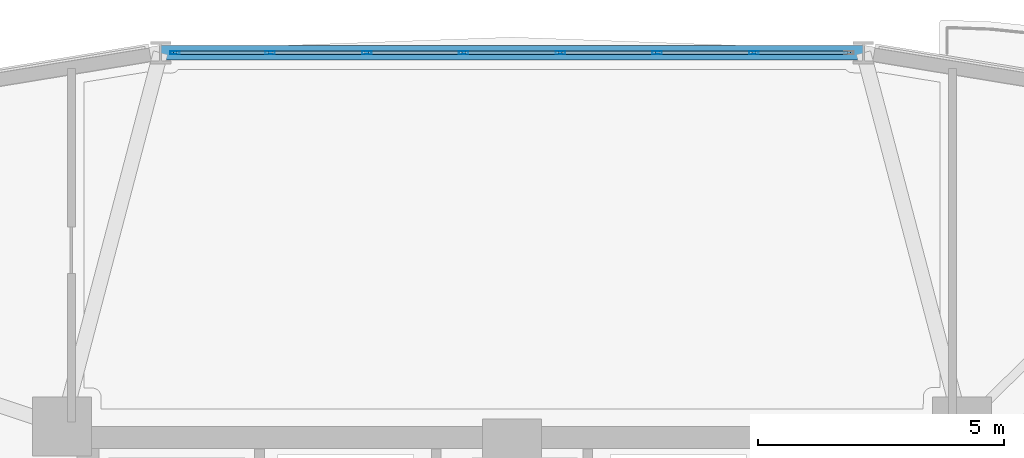
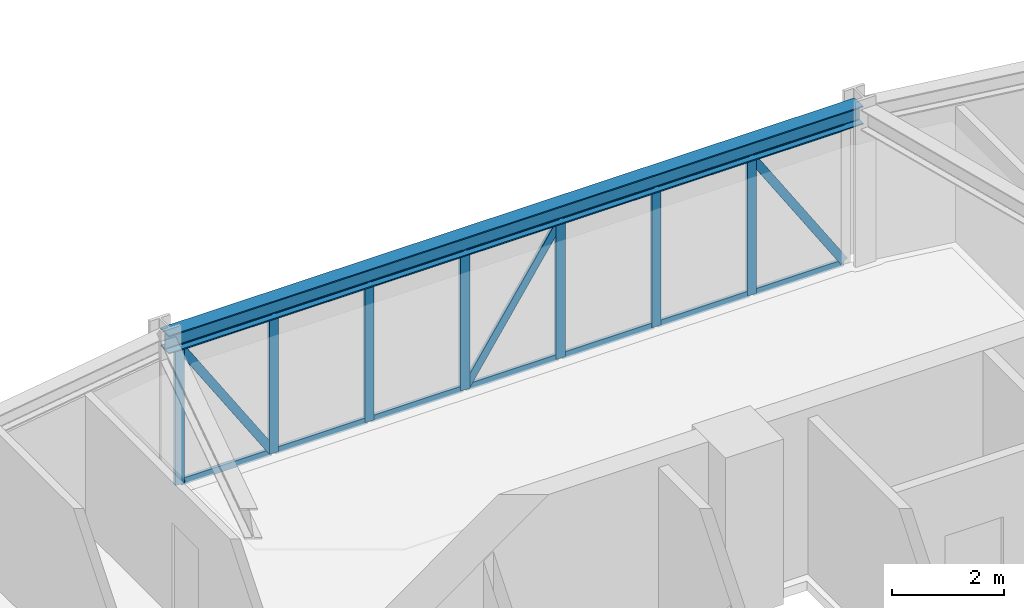
# One storey, part 11 of 23: 24 members, 1 beam, 1 element without a shape of its own.
"""IFC4 building model written with IfcOpenShell, lengths in metres."""

from ifc_helpers import new_model, si_unit, derived_unit, direction, frame, origin, origin_2d, place, context, subcontext, project, spatial, hollow_rectangle, i_section, extrude, source, transform, mapped, material, layer, layer_set, material_profile, profile_set, type_object, element, aggregate, save


model = new_model("IFC4")

# Units and contexts
model_context = context("Model", 3, precision=1e-05, world=origin(), true_north=direction((0.0, 1.0)))
body_context = subcontext(model_context, "Body", "Model", "MODEL_VIEW")
ifc_project = project(units=[si_unit("LENGTHUNIT", "METRE"), si_unit("AREAUNIT", "SQUARE_METRE"), si_unit("VOLUMEUNIT", "CUBIC_METRE"), si_unit("PLANEANGLEUNIT", "RADIAN"), si_unit("MASSUNIT", "GRAM", prefix="KILO"), derived_unit("THERMALTRANSMITTANCEUNIT", [(si_unit("POWERUNIT", "WATT"), 1), (si_unit("LENGTHUNIT", "METRE"), -2), (si_unit("THERMODYNAMICTEMPERATUREUNIT", "KELVIN"), -1)])], contexts=[model_context])

# Site, building, storey
site_placement = place(None, origin())
site = spatial("IfcSite", under=ifc_project, at=site_placement, CompositionType="ELEMENT")
building_placement = place(site_placement, origin())
building = spatial("IfcBuilding", under=site, at=building_placement, Name="Korsvarv Bourse and Concert Hall", CompositionType="ELEMENT")
storey_placement = place(building_placement, frame((0.0, 0.0, 99.0)))
storey = spatial("IfcBuildingStorey", under=building, at=storey_placement, Name="L24", CompositionType="ELEMENT", Elevation=99.0)

# Beam
ifc_material_1 = material(Name="Steel S355", Category="steel")
ifc_material_profile_1 = material_profile(ifc_material_1, i_section(OverallWidth=0.300048828125, OverallDepth=0.39990234375, WebThickness=0.013427734375, FlangeThickness=0.02392578125, FilletRadius=0.02099609375, at=origin_2d()), Name="HEB 400")
ifc_profile_set_1 = profile_set([ifc_material_profile_1], Name="Steel S355")
beam_type = type_object("IfcBeamType", Name="BM-HEB400", PredefinedType="SPANDREL", material=ifc_profile_set_1)
shared_shape_1 = source(origin(), body_context, "Body", "SweptSolid", [
    extrude(i_section(OverallWidth=0.300048828125, OverallDepth=0.39990234375, WebThickness=0.013427734375, FlangeThickness=0.02392578125, FilletRadius=0.02099609375, at=origin_2d()), origin(), (0.0, 0.0, 1.0), 14.298828125),
])
beam_placement = place(storey_placement, frame((43.1494140625, 54.8515625, 3.199951171875), z_axis=(-1.0, 0.0, 0.0), x_axis=(0.0, -1.0, 0.0)))
element("IfcBeam", 1, at=beam_placement, inside=storey, type_object=beam_type, Name="L24 beam B-09", PredefinedType="SPANDREL", context=body_context, shape_type="MappedRepresentation", body=[
    mapped(shared_shape_1, transform((0.0, 0.0, 0.0), scale=1.0)),
])

# Curtain wall, members
ifc_material_2 = material(Name="Anodised aluminium and triple low-E glazing", Category="glass")
ifc_layer = layer(ifc_material_2, 0.2099609375)
ifc_layer_set = layer_set([ifc_layer], Name="Anodised aluminium and triple low-E glazing")
curtain_wall_type = type_object("IfcCurtainWallType", Name="CW-SYS-2", PredefinedType="NOTDEFINED", material=ifc_layer_set)
curtain_wall_placement = place(storey_placement, origin())
curtain_wall = element("IfcCurtainWall", 2, at=curtain_wall_placement, inside=storey, type_object=curtain_wall_type, Name="L24 CW2 curtain wall CW-L24-F03", PredefinedType="NOTDEFINED")
ifc_material_3 = material(Name="Extruded aluminium EN AW-6063 T66", Category="aluminium")
ifc_material_profile_2 = material_profile(ifc_material_3, hollow_rectangle(XDim=0.070068359375, YDim=0.18994140625, WallThickness=0.0048828125, at=origin_2d()), Name="ALU-M 70x190")
ifc_profile_set_2 = profile_set([ifc_material_profile_2], Name="Extruded aluminium EN AW-6063 T66")
member_type_1 = type_object("IfcMemberType", Name="CWM-190", PredefinedType="MULLION", material=ifc_profile_set_2)
shared_shape_2 = source(origin(), body_context, "Body", "SweptSolid", [
    extrude(hollow_rectangle(XDim=0.070068359375, YDim=0.18994140625, WallThickness=0.0048828125, at=origin_2d()), origin(), (0.0, 0.0, 1.0), 3.0),
])
member_1_placement = place(storey_placement, frame((40.921630859375, 54.8515625, 0.0), z_axis=(0.0, 0.0, 1.0), x_axis=(0.0, -1.0, 0.0)))
member_1 = element("IfcMember", 3, at=member_1_placement, type_object=member_type_1, Name="CW2 mullion 2", PredefinedType="MULLION", context=body_context, shape_type="MappedRepresentation", body=[
    mapped(shared_shape_2, transform((0.0, 0.0, 0.0), scale=1.0)),
])
member_2_placement = place(storey_placement, frame((38.953125, 54.8515625, 0.0), z_axis=(0.0, 0.0, 1.0), x_axis=(0.0, -1.0, 0.0)))
member_2 = element("IfcMember", 4, at=member_2_placement, type_object=member_type_1, Name="CW2 mullion 3", PredefinedType="MULLION", context=body_context, shape_type="MappedRepresentation", body=[
    mapped(shared_shape_2, transform((0.0, 0.0, 0.0), scale=1.0)),
])
member_3_placement = place(storey_placement, frame((36.984375, 54.8515625, 0.0), z_axis=(0.0, 0.0, 1.0), x_axis=(0.0, -1.0, 0.0)))
member_3 = element("IfcMember", 5, at=member_3_placement, type_object=member_type_1, Name="CW2 mullion 4", PredefinedType="MULLION", context=body_context, shape_type="MappedRepresentation", body=[
    mapped(shared_shape_2, transform((0.0, 0.0, 0.0), scale=1.0)),
])
member_4_placement = place(storey_placement, frame((35.015625, 54.8515625, 0.0), z_axis=(0.0, 0.0, 1.0), x_axis=(0.0, -1.0, 0.0)))
member_4 = element("IfcMember", 6, at=member_4_placement, type_object=member_type_1, Name="CW2 mullion 5", PredefinedType="MULLION", context=body_context, shape_type="MappedRepresentation", body=[
    mapped(shared_shape_2, transform((0.0, 0.0, 0.0), scale=1.0)),
])
member_5_placement = place(storey_placement, frame((33.046875, 54.8515625, 0.0), z_axis=(0.0, 0.0, 1.0), x_axis=(0.0, -1.0, 0.0)))
member_5 = element("IfcMember", 7, at=member_5_placement, type_object=member_type_1, Name="CW2 mullion 6", PredefinedType="MULLION", context=body_context, shape_type="MappedRepresentation", body=[
    mapped(shared_shape_2, transform((0.0, 0.0, 0.0), scale=1.0)),
])
member_6_placement = place(storey_placement, frame((31.078369140625, 54.8515625, 0.0), z_axis=(0.0, 0.0, 1.0), x_axis=(0.0, -1.0, 0.0)))
member_6 = element("IfcMember", 8, at=member_6_placement, type_object=member_type_1, Name="CW2 mullion 7", PredefinedType="MULLION", context=body_context, shape_type="MappedRepresentation", body=[
    mapped(shared_shape_2, transform((0.0, 0.0, 0.0), scale=1.0)),
])
member_7_placement = place(storey_placement, frame((29.14453125, 54.8515625, 0.0), z_axis=(0.0, 0.0, 1.0), x_axis=(0.0, -1.0, 0.0)))
member_7 = element("IfcMember", 9, at=member_7_placement, type_object=member_type_1, Name="CW2 mullion 8", PredefinedType="MULLION", context=body_context, shape_type="MappedRepresentation", body=[
    mapped(shared_shape_2, transform((0.0, 0.0, 0.0), scale=1.0)),
])
ifc_material_profile_3 = material_profile(ifc_material_3, hollow_rectangle(XDim=0.06494140625, YDim=0.139892578125, WallThickness=0.00390625, at=origin_2d()), Name="ALU-T 65x140")
ifc_profile_set_3 = profile_set([ifc_material_profile_3], Name="Extruded aluminium EN AW-6063 T66")
member_type_2 = type_object("IfcMemberType", Name="CWT-140", PredefinedType="USERDEFINED", material=ifc_profile_set_3)
shared_shape_3 = source(origin(), body_context, "Body", "SweptSolid", [
    extrude(hollow_rectangle(XDim=0.06494140625, YDim=0.139892578125, WallThickness=0.00390625, at=origin_2d()), origin(), (0.0, 0.0, 1.0), 1.863525390625),
])
member_8_placement = place(storey_placement, frame((42.8203125, 54.8515625, 0.032470703125), z_axis=(-1.0, 0.0, 0.0), x_axis=(0.0, -1.0, 0.0)))
member_8 = element("IfcMember", 10, at=member_8_placement, type_object=member_type_2, Name="CW2 transom 1.1", ObjectType="TRANSOM", PredefinedType="USERDEFINED", context=body_context, shape_type="MappedRepresentation", body=[
    mapped(shared_shape_3, transform((0.0, 0.0, 0.0), scale=1.0)),
])
member_9_placement = place(storey_placement, frame((42.8203125, 54.8515625, 2.967529296875), z_axis=(-1.0, 0.0, 0.0), x_axis=(0.0, -1.0, 0.0)))
member_9 = element("IfcMember", 11, at=member_9_placement, type_object=member_type_2, Name="CW2 transom 1.2", ObjectType="TRANSOM", PredefinedType="USERDEFINED", context=body_context, shape_type="MappedRepresentation", body=[
    mapped(shared_shape_3, transform((0.0, 0.0, 0.0), scale=1.0)),
])
member_10_placement = place(storey_placement, frame((31.043212890625, 54.8515625, 0.032470703125), z_axis=(-1.0, 0.0, 0.0), x_axis=(0.0, -1.0, 0.0)))
member_10 = element("IfcMember", 12, at=member_10_placement, type_object=member_type_2, Name="CW2 transom 7.1", ObjectType="TRANSOM", PredefinedType="USERDEFINED", context=body_context, shape_type="MappedRepresentation", body=[
    mapped(shared_shape_3, transform((0.0, 0.0, 0.0), scale=1.0)),
])
member_11_placement = place(storey_placement, frame((31.043212890625, 54.8515625, 2.967529296875), z_axis=(-1.0, 0.0, 0.0), x_axis=(0.0, -1.0, 0.0)))
member_11 = element("IfcMember", 13, at=member_11_placement, type_object=member_type_2, Name="CW2 transom 7.2", ObjectType="TRANSOM", PredefinedType="USERDEFINED", context=body_context, shape_type="MappedRepresentation", body=[
    mapped(shared_shape_3, transform((0.0, 0.0, 0.0), scale=1.0)),
])
ifc_material_profile_4 = material_profile(ifc_material_3, hollow_rectangle(XDim=0.06494140625, YDim=0.1650390625, WallThickness=0.0048828125, at=origin_2d()), Name="ALU-M 65x165")
ifc_profile_set_4 = profile_set([ifc_material_profile_4], Name="Extruded aluminium EN AW-6063 T66")
member_type_3 = type_object("IfcMemberType", Name="CWM-165", PredefinedType="MULLION", material=ifc_profile_set_4)
shared_shape_4 = source(origin(), body_context, "Body", "SweptSolid", [
    extrude(hollow_rectangle(XDim=0.06494140625, YDim=0.1650390625, WallThickness=0.0048828125, at=origin_2d()), origin(), (0.0, 0.0, 1.0), 3.422119140625),
])
member_12_placement = place(storey_placement, frame((42.8203125, 54.8515625, 0.06494140625), z_axis=(-0.544566989944, 0.0, 0.838717350162), x_axis=(0.0, -1.0, 0.0)))
member_12 = element("IfcMember", 14, at=member_12_placement, type_object=member_type_3, Name="CW2 diagonal mullion 1", PredefinedType="MULLION", context=body_context, shape_type="MappedRepresentation", body=[
    mapped(shared_shape_4, transform((0.0, 0.0, 0.0), scale=1.0)),
])
member_13_placement = place(storey_placement, frame((31.043212890625, 54.8515625, 0.06494140625), z_axis=(-0.544566989944, 0.0, 0.838717350162), x_axis=(0.0, -1.0, 0.0)))
member_13 = element("IfcMember", 15, at=member_13_placement, type_object=member_type_3, Name="CW2 diagonal mullion 7", PredefinedType="MULLION", context=body_context, shape_type="MappedRepresentation", body=[
    mapped(shared_shape_4, transform((0.0, 0.0, 0.0), scale=1.0)),
])
shared_shape_5 = source(origin(), body_context, "Body", "SweptSolid", [
    extrude(hollow_rectangle(XDim=0.06494140625, YDim=0.139892578125, WallThickness=0.00390625, at=origin_2d()), origin(), (0.0, 0.0, 1.0), 1.898681640625),
])
member_14_placement = place(storey_placement, frame((40.88671875, 54.8515625, 0.032470703125), z_axis=(-1.0, 0.0, 0.0), x_axis=(0.0, -1.0, 0.0)))
member_14 = element("IfcMember", 16, at=member_14_placement, type_object=member_type_2, Name="CW2 transom 2.1", ObjectType="TRANSOM", PredefinedType="USERDEFINED", context=body_context, shape_type="MappedRepresentation", body=[
    mapped(shared_shape_5, transform((0.0, 0.0, 0.0), scale=1.0)),
])
member_15_placement = place(storey_placement, frame((40.88671875, 54.8515625, 2.967529296875), z_axis=(-1.0, 0.0, 0.0), x_axis=(0.0, -1.0, 0.0)))
member_15 = element("IfcMember", 17, at=member_15_placement, type_object=member_type_2, Name="CW2 transom 2.2", ObjectType="TRANSOM", PredefinedType="USERDEFINED", context=body_context, shape_type="MappedRepresentation", body=[
    mapped(shared_shape_5, transform((0.0, 0.0, 0.0), scale=1.0)),
])
member_16_placement = place(storey_placement, frame((38.91796875, 54.8515625, 0.032470703125), z_axis=(-1.0, 0.0, 0.0), x_axis=(0.0, -1.0, 0.0)))
member_16 = element("IfcMember", 18, at=member_16_placement, type_object=member_type_2, Name="CW2 transom 3.1", ObjectType="TRANSOM", PredefinedType="USERDEFINED", context=body_context, shape_type="MappedRepresentation", body=[
    mapped(shared_shape_5, transform((0.0, 0.0, 0.0), scale=1.0)),
])
member_17_placement = place(storey_placement, frame((38.91796875, 54.8515625, 2.967529296875), z_axis=(-1.0, 0.0, 0.0), x_axis=(0.0, -1.0, 0.0)))
member_17 = element("IfcMember", 19, at=member_17_placement, type_object=member_type_2, Name="CW2 transom 3.2", ObjectType="TRANSOM", PredefinedType="USERDEFINED", context=body_context, shape_type="MappedRepresentation", body=[
    mapped(shared_shape_5, transform((0.0, 0.0, 0.0), scale=1.0)),
])
member_18_placement = place(storey_placement, frame((34.980712890625, 54.8515625, 0.032470703125), z_axis=(-1.0, 0.0, 0.0), x_axis=(0.0, -1.0, 0.0)))
member_18 = element("IfcMember", 20, at=member_18_placement, type_object=member_type_2, Name="CW2 transom 5.1", ObjectType="TRANSOM", PredefinedType="USERDEFINED", context=body_context, shape_type="MappedRepresentation", body=[
    mapped(shared_shape_5, transform((0.0, 0.0, 0.0), scale=1.0)),
])
member_19_placement = place(storey_placement, frame((34.980712890625, 54.8515625, 2.967529296875), z_axis=(-1.0, 0.0, 0.0), x_axis=(0.0, -1.0, 0.0)))
member_19 = element("IfcMember", 21, at=member_19_placement, type_object=member_type_2, Name="CW2 transom 5.2", ObjectType="TRANSOM", PredefinedType="USERDEFINED", context=body_context, shape_type="MappedRepresentation", body=[
    mapped(shared_shape_5, transform((0.0, 0.0, 0.0), scale=1.0)),
])
member_20_placement = place(storey_placement, frame((33.011962890625, 54.8515625, 0.032470703125), z_axis=(-1.0, 0.0, 0.0), x_axis=(0.0, -1.0, 0.0)))
member_20 = element("IfcMember", 22, at=member_20_placement, type_object=member_type_2, Name="CW2 transom 6.1", ObjectType="TRANSOM", PredefinedType="USERDEFINED", context=body_context, shape_type="MappedRepresentation", body=[
    mapped(shared_shape_5, transform((0.0, 0.0, 0.0), scale=1.0)),
])
member_21_placement = place(storey_placement, frame((33.011962890625, 54.8515625, 2.967529296875), z_axis=(-1.0, 0.0, 0.0), x_axis=(0.0, -1.0, 0.0)))
member_21 = element("IfcMember", 23, at=member_21_placement, type_object=member_type_2, Name="CW2 transom 6.2", ObjectType="TRANSOM", PredefinedType="USERDEFINED", context=body_context, shape_type="MappedRepresentation", body=[
    mapped(shared_shape_5, transform((0.0, 0.0, 0.0), scale=1.0)),
])
shared_shape_6 = source(origin(), body_context, "Body", "SweptSolid", [
    extrude(hollow_rectangle(XDim=0.06494140625, YDim=0.139892578125, WallThickness=0.00390625, at=origin_2d()), origin(), (0.0, 0.0, 1.0), 1.89892578125),
])
member_22_placement = place(storey_placement, frame((36.949462890625, 54.8515625, 0.032470703125), z_axis=(-1.0, 0.0, 0.0), x_axis=(0.0, -1.0, 0.0)))
member_22 = element("IfcMember", 24, at=member_22_placement, type_object=member_type_2, Name="CW2 transom 4.1", ObjectType="TRANSOM", PredefinedType="USERDEFINED", context=body_context, shape_type="MappedRepresentation", body=[
    mapped(shared_shape_6, transform((0.0, 0.0, 0.0), scale=1.0)),
])
member_23_placement = place(storey_placement, frame((36.949462890625, 54.8515625, 2.967529296875), z_axis=(-1.0, 0.0, 0.0), x_axis=(0.0, -1.0, 0.0)))
member_23 = element("IfcMember", 25, at=member_23_placement, type_object=member_type_2, Name="CW2 transom 4.2", ObjectType="TRANSOM", PredefinedType="USERDEFINED", context=body_context, shape_type="MappedRepresentation", body=[
    mapped(shared_shape_6, transform((0.0, 0.0, 0.0), scale=1.0)),
])
shared_shape_7 = source(origin(), body_context, "Body", "SweptSolid", [
    extrude(hollow_rectangle(XDim=0.06494140625, YDim=0.1650390625, WallThickness=0.0048828125, at=origin_2d()), origin(), (0.0, 0.0, 1.0), 3.44140625),
])
member_24_placement = place(storey_placement, frame((35.050537109375, 54.8515625, 0.06494140625), z_axis=(0.551782737067, 0.0, 0.83398789624), x_axis=(0.0, 1.0, 0.0)))
member_24 = element("IfcMember", 26, at=member_24_placement, type_object=member_type_3, Name="CW2 diagonal mullion 4", PredefinedType="MULLION", context=body_context, shape_type="MappedRepresentation", body=[
    mapped(shared_shape_7, transform((0.0, 0.0, 0.0), scale=1.0)),
])
aggregate(curtain_wall, [member_1, member_2, member_3, member_4, member_5, member_6, member_7, member_8, member_9, member_12, member_14, member_15, member_16, member_17, member_22, member_23, member_24, member_18, member_19, member_20, member_21, member_10, member_11, member_13])

save(model, "model.ifc")
